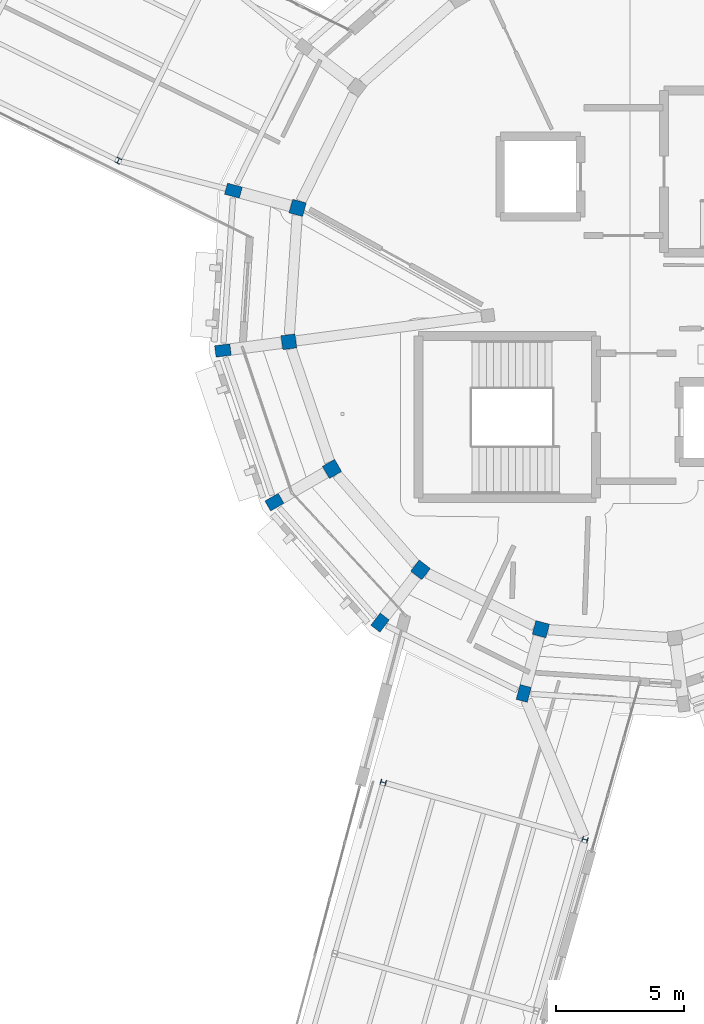
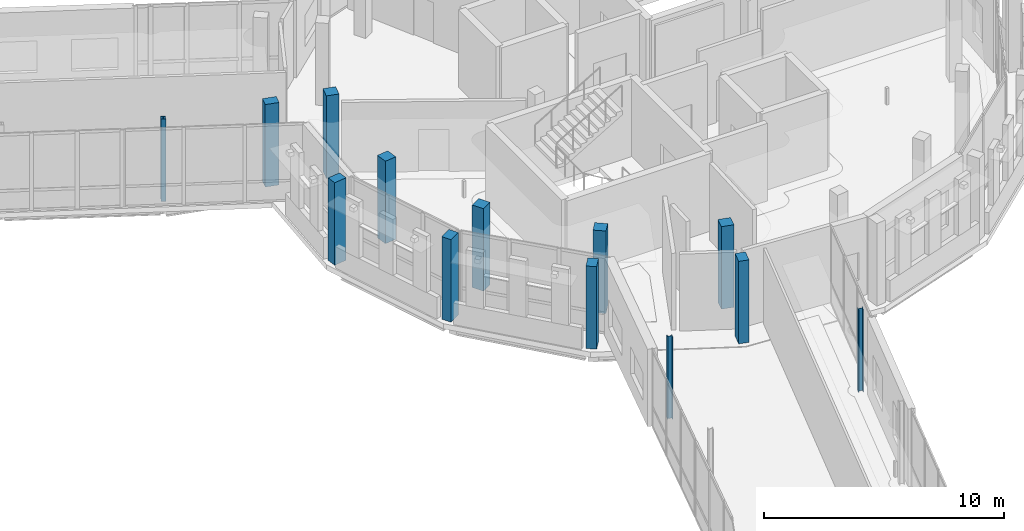
# One storey, part 22 of 125: 13 columns.
"""IFC4 building model written with IfcOpenShell, lengths in metres."""

import ifcopenshell
import ifcopenshell.guid

model = None  # the IFC model being written
_history = None  # IfcOwnerHistory: only IFC2X3 demands one
_inside = {}  # id of a spatial element -> (the spatial element, [elements in it])
_under = {}  # id of a project, library or spatial element -> (it, [spatial elements below it])
_declared = {}  # id of a project -> (the project, [libraries it declares])
_typed = {}  # id of a type object -> (the type object, [elements of that type])
_made_of = {}  # id of a material, layer set ... -> (it, [elements and type objects made of it])


def new_model(schema):
    """Start an empty IFC model of exactly this schema.

    Asked for "IFC4X3", IfcOpenShell would pick the latest addendum, in which some entities
    have other attributes; the version numbers below select the first issue.
    IFC2X3 requires an IfcOwnerHistory on every rooted entity: one is made here for all.
    """
    global model, _history
    if schema == "IFC4X3":
        model = ifcopenshell.file(schema_version=(4, 3, 0, 0))
    else:
        model = ifcopenshell.file(schema=schema)
    _inside.clear()
    _under.clear()
    _declared.clear()
    _typed.clear()
    _made_of.clear()
    _history = None
    if model.schema == "IFC2X3":
        org = make("IfcOrganization", Name="unknown")
        user = make(
            "IfcPersonAndOrganization",
            ThePerson=make("IfcPerson", FamilyName="unknown"),
            TheOrganization=org,
        )
        app = make(
            "IfcApplication",
            ApplicationDeveloper=org,
            Version="unknown",
            ApplicationFullName="unknown",
            ApplicationIdentifier="unknown",
        )
        _history = make(
            "IfcOwnerHistory",
            OwningUser=user,
            OwningApplication=app,
            ChangeAction="ADDED",
            CreationDate=0,
        )
    return model


def make(cls, **values):
    """One entity of the class cls with the attributes given. An attribute that is None is left unset."""
    return model.create_entity(
        cls, **{name: value for name, value in values.items() if value is not None}
    )


def rooted(cls, **values):
    """An entity with a GlobalId (a new one), such as an element, a storey or a relation."""
    return make(cls, GlobalId=ifcopenshell.guid.new(), OwnerHistory=_history, **values)


def si_unit(unit_type, name, prefix=None):
    """IfcSIUnit, for example si_unit("LENGTHUNIT", "METRE", prefix="MILLI")."""
    return make("IfcSIUnit", UnitType=unit_type, Prefix=prefix, Name=name)


def assignment(units):
    """IfcUnitAssignment: the units of a project."""
    return None if units is None else make("IfcUnitAssignment", Units=units)


def point(xyz):
    """IfcCartesianPoint."""
    return None if xyz is None else make("IfcCartesianPoint", Coordinates=xyz)


def direction(xyz):
    """IfcDirection."""
    return None if xyz is None else make("IfcDirection", DirectionRatios=xyz)


def frame(location, z_axis=None, x_axis=None):
    """IfcAxis2Placement3D, a coordinate frame: its origin and axes. An axis left out is left unset."""
    return make(
        "IfcAxis2Placement3D",
        Location=point(location),
        Axis=direction(z_axis),
        RefDirection=direction(x_axis),
    )


def frame_2d(location, x_axis=None):
    """IfcAxis2Placement2D, a coordinate frame in the plane: its origin and x axis."""
    return make(
        "IfcAxis2Placement2D", Location=point(location), RefDirection=direction(x_axis)
    )


def origin():
    """The frame at (0, 0, 0) with its axes left unset."""
    return frame((0.0, 0.0, 0.0))


def origin_2d():
    """The frame at (0, 0) in the plane with its x axis left unset."""
    return frame_2d((0.0, 0.0))


def place(relative_to, where):
    """IfcLocalPlacement: puts the frame where relative to a parent placement (None: the world)."""
    return make(
        "IfcLocalPlacement", PlacementRelTo=relative_to, RelativePlacement=where
    )


def context(
    kind, dimensions, precision=None, world=None, true_north=None, identifier=None
):
    """IfcGeometricRepresentationContext, for example the 3D "Model" context."""
    return make(
        "IfcGeometricRepresentationContext",
        ContextIdentifier=identifier,
        ContextType=kind,
        CoordinateSpaceDimension=dimensions,
        Precision=precision,
        WorldCoordinateSystem=world,
        TrueNorth=true_north,
    )


def subcontext(parent, identifier, kind, view, scale=None):
    """IfcGeometricRepresentationSubContext, for example "Body" below "Model"."""
    return make(
        "IfcGeometricRepresentationSubContext",
        ContextIdentifier=identifier,
        ContextType=kind,
        ParentContext=parent,
        TargetScale=scale,
        TargetView=view,
    )


def project(units=None, contexts=None):
    """IfcProject with its units and contexts."""
    return rooted(
        "IfcProject",
        Name="project",
        RepresentationContexts=contexts,
        UnitsInContext=assignment(units),
    )


def spatial(cls, under=None, at=None, **own):
    """A site, building, storey or space (cls), placed at a placement, below another one or the project."""
    s = rooted(cls, ObjectPlacement=at, **own)
    if under is not None:
        _under.setdefault(under.id(), (under, []))[1].append(s)
    return s


def profile(cls, at=None, kind="AREA", **sizes):
    """A parametric profile (cls). Its sizes go by their IFC names, for example OverallWidth=200.0."""
    return make(cls, ProfileType=kind, Position=at, **sizes)


def rectangle(**sizes):
    """IfcRectangleProfileDef."""
    return profile("IfcRectangleProfileDef", **sizes)


def i_section(**sizes):
    """IfcIShapeProfileDef."""
    return profile("IfcIShapeProfileDef", **sizes)


def extrude(swept, where, along, depth):
    """IfcExtrudedAreaSolid: the profile swept, set in the frame where, extruded along a direction by depth."""
    return make(
        "IfcExtrudedAreaSolid",
        SweptArea=swept,
        Position=where,
        ExtrudedDirection=direction(along),
        Depth=depth,
    )


def shape(context_of_items, identifier, shape_type, items):
    """IfcShapeRepresentation: the items that make up one representation, for example the "Body"."""
    return make(
        "IfcShapeRepresentation",
        ContextOfItems=context_of_items,
        RepresentationIdentifier=identifier,
        RepresentationType=shape_type,
        Items=items,
    )


def material(Name=None, Category=None):
    """IfcMaterial."""
    return make("IfcMaterial", Name=Name, Category=Category)


def material_profile(
    of_material, cross_section, Name=None, Category=None, Priority=None
):
    """IfcMaterialProfile: a cross section and its material."""
    return make(
        "IfcMaterialProfile",
        Name=Name,
        Material=of_material,
        Profile=cross_section,
        Priority=Priority,
        Category=Category,
    )


def profile_set(profiles, Name=None, composite=None):
    """IfcMaterialProfileSet."""
    return make(
        "IfcMaterialProfileSet",
        Name=Name,
        MaterialProfiles=profiles,
        CompositeProfile=composite,
    )


def made_of(thing, what):
    """Note that an element or type object is made of a material, layer set ...; save() writes the relation."""
    if what is not None:
        _made_of.setdefault(what.id(), (what, []))[1].append(thing)
    return thing


def type_object(cls, material=None, **own):
    """A type object (cls), such as IfcWallType, which elements share."""
    return made_of(rooted(cls, **own), material)


def element(
    cls,
    number,
    at=None,
    inside=None,
    cuts=None,
    type_object=None,
    material=None,
    context=None,
    identifier="Body",
    shape_type=None,
    held_by="IfcProductDefinitionShape",
    body=None,
    shapes=None,
    **own,
):
    """One element of the class cls, such as IfcWall. Its Tag is "e" and its number.

    at: its placement. inside: the storey or other place that contains it. cuts: it is an
    opening in that element (IfcRelVoidsElement). A single representation is given by context,
    identifier, shape_type and body (its items); several are given by shapes. held_by: the class
    of the entity that holds the representations. save() writes the other relations.
    """
    e = rooted(cls, Tag="e%d" % number, ObjectPlacement=at, **own)
    if body is not None:
        shapes = [shape(context, identifier, shape_type, body)]
    if shapes is not None:
        e.Representation = make(held_by, Representations=shapes)
    if inside is not None:
        _inside.setdefault(inside.id(), (inside, []))[1].append(e)
    if cuts is not None:
        rooted(
            "IfcRelVoidsElement", RelatingBuildingElement=cuts, RelatedOpeningElement=e
        )
    if type_object is not None:
        _typed.setdefault(type_object.id(), (type_object, []))[1].append(e)
    return made_of(e, material)


def aggregate(whole, parts):
    """IfcRelAggregates: a whole, such as a stair, and the parts it consists of."""
    return rooted("IfcRelAggregates", RelatingObject=whole, RelatedObjects=parts)


def save(model, path):
    """Write the relations noted so far, then the file.

    IfcRelAggregates (storeys below a building ...), IfcRelContainedInSpatialStructure (elements
    in a storey), IfcRelDefinesByType, IfcRelAssociatesMaterial and IfcRelDeclares: one each for
    every whole, place, type object, material and project.
    """
    for whole, parts in _under.values():
        aggregate(whole, parts)
    for where, things in _inside.values():
        rooted(
            "IfcRelContainedInSpatialStructure",
            RelatedElements=things,
            RelatingStructure=where,
        )
    for kind, things in _typed.values():
        rooted("IfcRelDefinesByType", RelatedObjects=things, RelatingType=kind)
    for what, things in _made_of.values():
        rooted("IfcRelAssociatesMaterial", RelatedObjects=things, RelatingMaterial=what)
    for by, libraries in _declared.values():
        rooted("IfcRelDeclares", RelatingContext=by, RelatedDefinitions=libraries)
    model.write(path)


model = new_model("IFC4")

# Units and contexts
model_context = context("Model", 3, precision=1e-05, world=origin(), true_north=direction((0.0, 1.0)))
body_context = subcontext(model_context, "Body", "Model", "MODEL_VIEW")
ifc_project = project(units=[si_unit("LENGTHUNIT", "METRE"), si_unit("AREAUNIT", "SQUARE_METRE"), si_unit("VOLUMEUNIT", "CUBIC_METRE"), si_unit("PLANEANGLEUNIT", "RADIAN"), si_unit("MASSUNIT", "GRAM", prefix="KILO")], contexts=[model_context])

# Site, building, storey
site_placement = place(None, origin())
site = spatial("IfcSite", under=ifc_project, at=site_placement, CompositionType="ELEMENT")
building_placement = place(site_placement, origin())
building = spatial("IfcBuilding", under=site, at=building_placement, Name="Wrenclough Park School", CompositionType="ELEMENT")
storey_placement = place(building_placement, frame((0.0, 0.0, 4.199951171875)))
storey = spatial("IfcBuildingStorey", under=building, at=storey_placement, Name="L01", CompositionType="ELEMENT", Elevation=4.199951171875)

# Columns
ifc_material_1 = material(Name="Concrete C40/50", Category="concrete")
ifc_material_profile_1 = material_profile(ifc_material_1, rectangle(XDim=0.550048828125, YDim=0.550048828125, at=origin_2d()), Name="RC COL 550x550")
ifc_profile_set_1 = profile_set([ifc_material_profile_1], Name="Concrete C40/50")
column_type_1 = type_object("IfcColumnType", Name="STR-COL-RC550", PredefinedType="COLUMN", material=ifc_profile_set_1)
for number, where, z_axis, x_axis, name in (
    (1, (161.50830078125, 96.981201171875, 0.0), (0.0, 0.0, 1.0), (-0.258819045103, -0.965925826289, 0.0), "D5 L01 column D5-MID-08"),
    (2, (161.1650390625, 91.744384765625, 0.0), (0.0, 0.0, 1.0), (0.13052619222, -0.991444861374, 0.0), "D5 L01 column D5-MID-09"),
    (3, (162.85205078125, 86.77490234375, 0.0), (0.0, 0.0, 1.0), (0.5, -0.866025403784, 0.0), "D5 L01 column D5-MID-10"),
    (4, (166.312255859375, 82.829345703125, 0.0), (0.0, 0.0, 1.0), (0.793353340291, -0.608761429009, 0.0), "D5 L01 column D5-MID-11"),
    (5, (171.018798828125, 80.50830078125, 0.0), (0.0, 0.0, 1.0), (0.965925826289, -0.258819045103, 0.0), "D5 L01 column D5-MID-12"),
):
    element("IfcColumn", number, at=place(storey_placement, frame(where, z_axis=z_axis, x_axis=x_axis)), inside=storey, type_object=column_type_1, Name=name, PredefinedType="COLUMN", context=body_context, shape_type="SweptSolid", body=[
        extrude(rectangle(XDim=0.550048828125, YDim=0.550048828125, at=origin_2d()), origin(), (0.0, 0.0, 1.0), 4.199951171875),
    ])
ifc_material_profile_2 = material_profile(ifc_material_1, rectangle(XDim=0.449951171875, YDim=0.60009765625, at=origin_2d()), Name="RC COL 600x450")
ifc_profile_set_2 = profile_set([ifc_material_profile_2], Name="Concrete C40/50")
column_type_2 = type_object("IfcColumnType", Name="STR-COL-RC600x450", PredefinedType="PILASTER", material=ifc_profile_set_2)
for number, where, z_axis, x_axis, name in (
    (6, (158.996826171875, 97.654052734375, 0.0), (0.0, 0.0, 1.0), (-0.258819045103, -0.965925826289, 0.0), "D5 L01 column D5-OUT-08"),
    (7, (158.58740234375, 91.405029296875, 0.0), (0.0, 0.0, 1.0), (0.13052619222, -0.991444861374, 0.0), "D5 L01 column D5-OUT-09"),
    (8, (160.600341796875, 85.47509765625, 0.0), (0.0, 0.0, 1.0), (0.5, -0.866025403784, 0.0), "D5 L01 column D5-OUT-10"),
    (9, (164.7294921875, 80.7666015625, 0.0), (0.0, 0.0, 1.0), (0.793353340291, -0.608761429009, 0.0), "D5 L01 column D5-OUT-11"),
    (10, (170.345947265625, 77.996826171875, 0.0), (0.0, 0.0, 1.0), (0.965925826289, -0.258819045103, 0.0), "D5 L01 column D5-OUT-12"),
):
    element("IfcColumn", number, at=place(storey_placement, frame(where, z_axis=z_axis, x_axis=x_axis)), inside=storey, type_object=column_type_2, Name=name, PredefinedType="PILASTER", context=body_context, shape_type="SweptSolid", body=[
        extrude(rectangle(XDim=0.449951171875, YDim=0.60009765625, at=origin_2d()), origin(), (0.0, 0.0, 1.0), 4.199951171875),
    ])
ifc_material_2 = material(Name="Structural steel S355", Category="steel")
ifc_material_profile_3 = material_profile(ifc_material_2, i_section(OverallWidth=0.205810546875, OverallDepth=0.209716796875, WebThickness=0.009521484375, FlangeThickness=0.01416015625, FilletRadius=0.01025390625, at=origin_2d()), Name="UKC 203x203x60")
ifc_profile_set_3 = profile_set([ifc_material_profile_3], Name="Structural steel S355")
column_type_3 = type_object("IfcColumnType", Name="STR-COL-UKC203B", PredefinedType="COLUMN", material=ifc_profile_set_3)
for number, where, z_axis, x_axis, name in (
    (11, (164.85546875, 74.5185546875, 0.0), (0.0, 0.0, 1.0), (0.272784025857, 0.962075296033, 0.0), "W14 L01 column W14-C1-L07"),
    (12, (172.744384765625, 72.281494140625, 0.0), (0.0, 0.0, 1.0), (0.272784025857, 0.962075296033, 0.0), "W14 L01 column W14-C1-R07"),
    (13, (154.494140625, 98.8251953125, 0.0), (0.0, 0.0, 1.0), (0.896254315973, -0.443540529265, 0.0), "W45 L01 column W45-C2-R05"),
):
    element("IfcColumn", number, at=place(storey_placement, frame(where, z_axis=z_axis, x_axis=x_axis)), inside=storey, type_object=column_type_3, Name=name, PredefinedType="COLUMN", context=body_context, shape_type="SweptSolid", body=[
        extrude(i_section(OverallWidth=0.205810546875, OverallDepth=0.209716796875, WebThickness=0.009521484375, FlangeThickness=0.01416015625, FilletRadius=0.01025390625, at=origin_2d()), origin(), (0.0, 0.0, 1.0), 4.199951171875),
    ])

save(model, "model.ifc")
